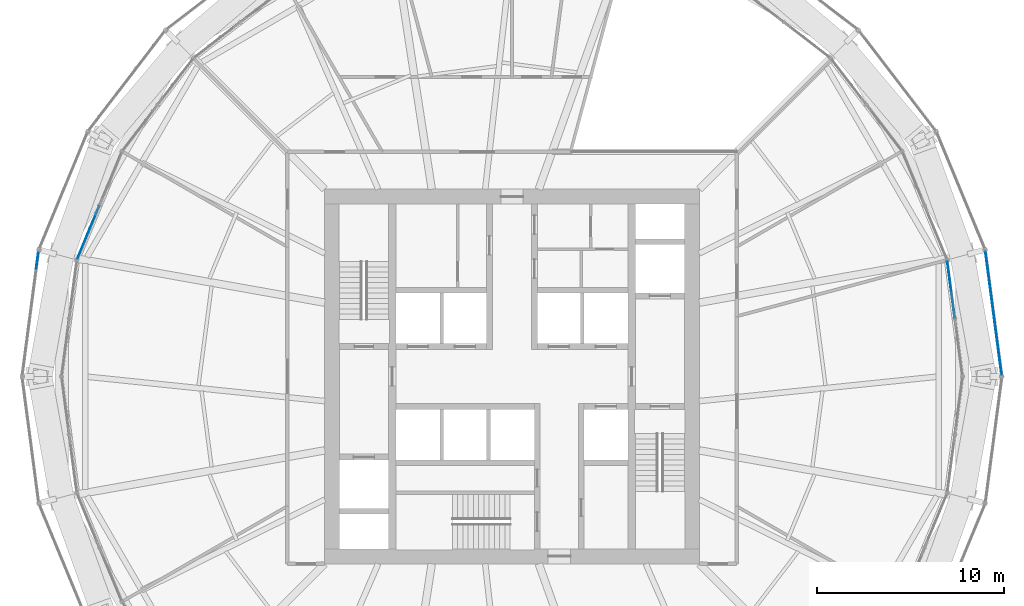
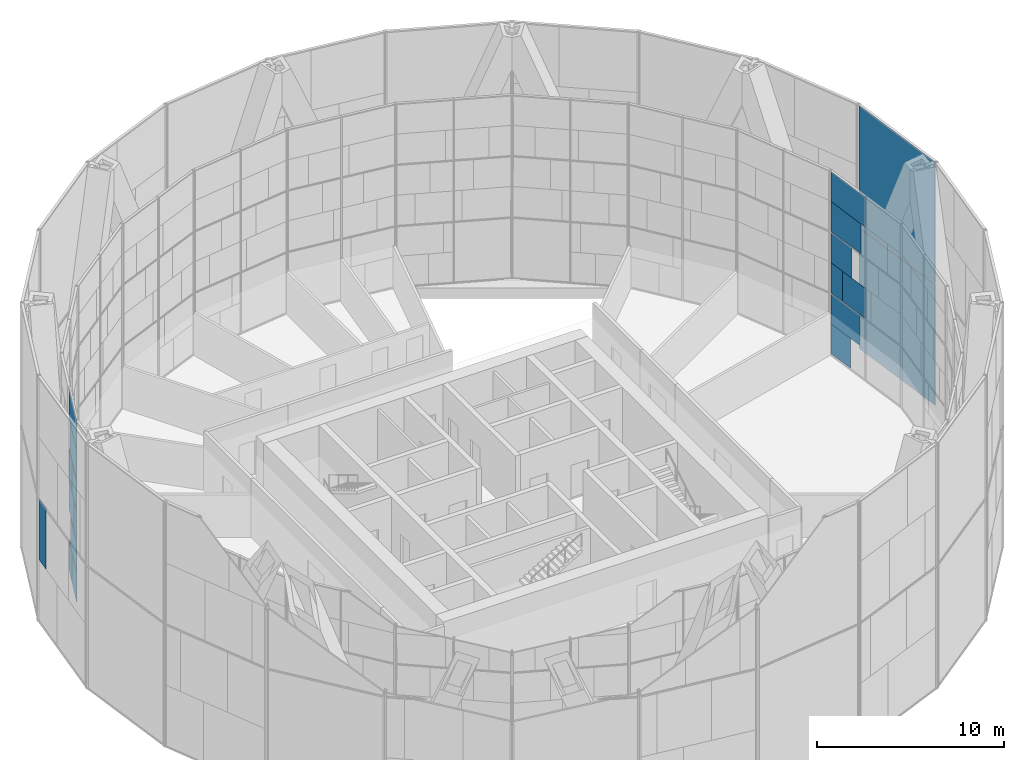
# One storey, part 18 of 26: 19 plates, 4 elements without a shape of their own.
"""IFC4 building model written with IfcOpenShell, lengths in metres."""

from ifc_helpers import new_model, si_unit, direction, frame, origin, origin_2d, place, context, subcontext, project, spatial, rectangle, extrude, material, layer, layer_set, type_object, element, aggregate, save


model = new_model("IFC4")

# Units and contexts
model_context = context("Model", 3, precision=1e-05, world=origin(), true_north=direction((0.0, 1.0)))
body_context = subcontext(model_context, "Body", "Model", "MODEL_VIEW")
ifc_project = project(units=[si_unit("LENGTHUNIT", "METRE"), si_unit("AREAUNIT", "SQUARE_METRE"), si_unit("VOLUMEUNIT", "CUBIC_METRE"), si_unit("PLANEANGLEUNIT", "RADIAN"), si_unit("MASSUNIT", "GRAM", prefix="KILO")], contexts=[model_context])

# Site, building, storey
site_placement = place(None, origin())
site = spatial("IfcSite", under=ifc_project, at=site_placement, CompositionType="ELEMENT")
building_placement = place(site_placement, origin())
building = spatial("IfcBuilding", under=site, at=building_placement, Name="Golbaran Civic Tower", CompositionType="ELEMENT")
storey_placement = place(building_placement, frame((0.0, 0.0, 69.0)))
storey = spatial("IfcBuildingStorey", under=building, at=storey_placement, Name="L16", CompositionType="ELEMENT", Elevation=69.0)

# Curtain wall, plates
ifc_material_1 = material(Name="Aluminium and glass", Category="aluminium")
curtain_wall_type_1 = type_object("IfcCurtainWallType", Name="INNER SKIN CURTAIN WALL", PredefinedType="NOTDEFINED", material=ifc_material_1)
curtain_wall_1_placement = place(storey_placement, origin())
curtain_wall_1 = element("IfcCurtainWall", 1, at=curtain_wall_1_placement, inside=storey, type_object=curtain_wall_type_1, Name="Inner skin L16 facet 1 CW1", ObjectType="INNER SKIN", PredefinedType="USERDEFINED")
ifc_material_2 = material(Name="Clear insulating glass", Category="glass")
ifc_layer_1 = layer(ifc_material_2, 0.031982421875, Name="Clear insulating glass")
ifc_layer_set_1 = layer_set([ifc_layer_1], Name="Clear insulating glass")
plate_type_1 = type_object("IfcPlateType", Name="INNER SKIN CURTAIN WALL GLAZED PANEL", PredefinedType="CURTAIN_PANEL", material=ifc_layer_set_1)
plate_1_placement = place(storey_placement, frame((23.306640625, 5.669189453125, 4.03271484375), z_axis=(0.0, 0.0, 1.0), x_axis=(-0.130526192168, 0.991444861381, 0.0)))
plate_1 = element("IfcPlate", 2, at=plate_1_placement, type_object=plate_type_1, Name="CW1 panel 2.2 part 2", PredefinedType="CURTAIN_PANEL", context=body_context, shape_type="SweptSolid", body=[
    extrude(rectangle(XDim=0.991943359375, YDim=0.031982421875, at=origin_2d()), origin(), (0.0, 0.0, 1.0), 1.967529296875),
])
plate_2_placement = place(storey_placement, frame((23.359130859375, 5.26953125, 6.0), z_axis=(0.0, 0.0, 1.0), x_axis=(-0.130526192168, 0.991444861381, 0.0)))
plate_2 = element("IfcPlate", 3, at=plate_2_placement, type_object=plate_type_1, Name="CW1 panel 2.2 part 4", PredefinedType="CURTAIN_PANEL", context=body_context, shape_type="SweptSolid", body=[
    extrude(rectangle(XDim=1.798095703125, YDim=0.031982421875, at=origin_2d()), origin(), (0.0, 0.0, 1.0), 1.967529296875),
])
plate_3_placement = place(storey_placement, frame((23.41357421875, 4.856689453125, 8.032470703125), z_axis=(0.0, 0.0, 1.0), x_axis=(-0.130526192168, 0.991444861381, 0.0)))
plate_3 = element("IfcPlate", 4, at=plate_3_placement, type_object=plate_type_1, Name="CW1 panel 2.3 part 2", PredefinedType="CURTAIN_PANEL", context=body_context, shape_type="SweptSolid", body=[
    extrude(rectangle(XDim=2.631103515625, YDim=0.031982421875, at=origin_2d()), origin(), (0.0, 0.0, 1.0), 1.951171875),
])
plate_4_placement = place(storey_placement, frame((23.4404296875, 4.65283203125, 9.98388671875), z_axis=(0.0, 0.0, 1.0), x_axis=(-0.130526192168, 0.991444861381, 0.0)))
plate_4 = element("IfcPlate", 5, at=plate_4_placement, type_object=plate_type_1, Name="CW1 panel 2.3 part 3", PredefinedType="CURTAIN_PANEL", context=body_context, shape_type="SweptSolid", body=[
    extrude(rectangle(XDim=3.0419921875, YDim=0.031982421875, at=origin_2d()), origin(), (0.0, 0.0, 1.0), 1.951171875),
])

curtain_wall_2_placement = place(storey_placement, origin())
curtain_wall_2 = element("IfcCurtainWall", 6, at=curtain_wall_2_placement, inside=storey, type_object=curtain_wall_type_1, Name="Inner skin L16 facet 11 CW1", ObjectType="INNER SKIN", PredefinedType="USERDEFINED")
plate_5_placement = place(storey_placement, frame((-22.298583984375, 8.48193359375, 0.06494140625), z_axis=(0.0, 0.0, 1.0), x_axis=(-0.382683432446, -0.923879532478, 0.0)))
plate_5 = element("IfcPlate", 7, at=plate_5_placement, type_object=plate_type_1, Name="CW1 panel 2.1 part 1", PredefinedType="CURTAIN_PANEL", context=body_context, shape_type="SweptSolid", body=[
    extrude(rectangle(XDim=1.3291015625, YDim=0.031982421875, at=origin_2d()), origin(), (0.0, 0.0, 1.0), 1.951171875),
])
plate_6_placement = place(storey_placement, frame((-23.018798828125, 6.74365234375, 4.03271484375), z_axis=(0.0, 0.0, 1.0), x_axis=(-0.382683432446, -0.923879532478, 0.0)))
plate_6 = element("IfcPlate", 8, at=plate_6_placement, type_object=plate_type_1, Name="CW1 panel 2.2 part 2", PredefinedType="CURTAIN_PANEL", context=body_context, shape_type="SweptSolid", body=[
    extrude(rectangle(XDim=0.991943359375, YDim=0.031982421875, at=origin_2d()), origin(), (0.0, 0.0, 1.0), 1.967529296875),
])
plate_7_placement = place(storey_placement, frame((-22.864501953125, 7.115966796875, 6.0), z_axis=(0.0, 0.0, 1.0), x_axis=(-0.382683432446, -0.923879532478, 0.0)))
plate_7 = element("IfcPlate", 9, at=plate_7_placement, type_object=plate_type_1, Name="CW1 panel 2.2 part 4", PredefinedType="CURTAIN_PANEL", context=body_context, shape_type="SweptSolid", body=[
    extrude(rectangle(XDim=1.798095703125, YDim=0.031982421875, at=origin_2d()), origin(), (0.0, 0.0, 1.0), 1.967529296875),
])
plate_8_placement = place(storey_placement, frame((-22.705078125, 7.500732421875, 8.032470703125), z_axis=(0.0, 0.0, 1.0), x_axis=(-0.382683432446, -0.923879532478, 0.0)))
plate_8 = element("IfcPlate", 10, at=plate_8_placement, type_object=plate_type_1, Name="CW1 panel 2.3 part 2", PredefinedType="CURTAIN_PANEL", context=body_context, shape_type="SweptSolid", body=[
    extrude(rectangle(XDim=2.631103515625, YDim=0.031982421875, at=origin_2d()), origin(), (0.0, 0.0, 1.0), 1.951171875),
])
plate_9_placement = place(storey_placement, frame((-22.62646484375, 7.690673828125, 9.98388671875), z_axis=(0.0, 0.0, 1.0), x_axis=(-0.382683432446, -0.923879532478, 0.0)))
plate_9 = element("IfcPlate", 11, at=plate_9_placement, type_object=plate_type_1, Name="CW1 panel 2.3 part 3", PredefinedType="CURTAIN_PANEL", context=body_context, shape_type="SweptSolid", body=[
    extrude(rectangle(XDim=3.0419921875, YDim=0.031982421875, at=origin_2d()), origin(), (0.0, 0.0, 1.0), 1.951171875),
])

# Plate
ifc_material_3 = material(Name="Aluminium faced opaque infill panel", Category="aluminium")
ifc_layer_2 = layer(ifc_material_3, 0.031982421875, Name="Aluminium faced opaque infill panel")
ifc_layer_set_2 = layer_set([ifc_layer_2], Name="Aluminium faced opaque infill panel")
plate_type_2 = type_object("IfcPlateType", Name="INNER SKIN CURTAIN WALL OPAQUE INFILL PANEL", PredefinedType="CURTAIN_PANEL", material=ifc_layer_set_2)
plate_10_placement = place(storey_placement, frame((23.353759765625, 5.311767578125, 0.06494140625), z_axis=(0.0, 0.0, 1.0), x_axis=(-0.130526192168, 0.991444861381, 0.0)))
plate_10 = element("IfcPlate", 12, at=plate_10_placement, type_object=plate_type_2, Name="CW1 infill panel 2.1 part 2", PredefinedType="CURTAIN_PANEL", context=body_context, shape_type="SweptSolid", body=[
    extrude(rectangle(XDim=1.713134765625, YDim=0.031982421875, at=origin_2d()), origin(), (0.0, 0.0, 1.0), 1.951171875),
])

plate_11_placement = place(storey_placement, frame((23.40576171875, 4.916259765625, 2.016357421875), z_axis=(0.0, 0.0, 1.0), x_axis=(-0.130526192168, 0.991444861381, 0.0)))
plate_11 = element("IfcPlate", 13, at=plate_11_placement, type_object=plate_type_2, Name="CW1 infill panel 2.1 part 4", PredefinedType="CURTAIN_PANEL", context=body_context, shape_type="SweptSolid", body=[
    extrude(rectangle(XDim=2.510986328125, YDim=0.031982421875, at=origin_2d()), origin(), (0.0, 0.0, 1.0), 1.951171875),
])

plate_12_placement = place(storey_placement, frame((23.505126953125, 4.1611328125, 4.03271484375), z_axis=(0.0, 0.0, 1.0), x_axis=(-0.130526192168, 0.991444861381, 0.0)))
plate_12 = element("IfcPlate", 14, at=plate_12_placement, type_object=plate_type_2, Name="CW1 infill panel 2.2 part 1", PredefinedType="CURTAIN_PANEL", context=body_context, shape_type="SweptSolid", body=[
    extrude(rectangle(XDim=2.050048828125, YDim=0.031982421875, at=origin_2d()), origin(), (0.0, 0.0, 1.0), 1.967529296875),
])

aggregate(curtain_wall_1, [plate_10, plate_11, plate_12, plate_1, plate_2, plate_3, plate_4])

plate_13_placement = place(storey_placement, frame((-22.880859375, 7.07666015625, 0.06494140625), z_axis=(0.0, 0.0, 1.0), x_axis=(-0.382683432446, -0.923879532478, 0.0)))
plate_13 = element("IfcPlate", 15, at=plate_13_placement, type_object=plate_type_2, Name="CW1 infill panel 2.1 part 2", PredefinedType="CURTAIN_PANEL", context=body_context, shape_type="SweptSolid", body=[
    extrude(rectangle(XDim=1.713134765625, YDim=0.031982421875, at=origin_2d()), origin(), (0.0, 0.0, 1.0), 1.951171875),
])

plate_14_placement = place(storey_placement, frame((-22.72802734375, 7.4453125, 2.016357421875), z_axis=(0.0, 0.0, 1.0), x_axis=(-0.382683432446, -0.923879532478, 0.0)))
plate_14 = element("IfcPlate", 16, at=plate_14_placement, type_object=plate_type_2, Name="CW1 infill panel 2.1 part 4", PredefinedType="CURTAIN_PANEL", context=body_context, shape_type="SweptSolid", body=[
    extrude(rectangle(XDim=2.510986328125, YDim=0.031982421875, at=origin_2d()), origin(), (0.0, 0.0, 1.0), 1.951171875),
])

plate_15_placement = place(storey_placement, frame((-22.436767578125, 8.14892578125, 4.03271484375), z_axis=(0.0, 0.0, 1.0), x_axis=(-0.382683432446, -0.923879532478, 0.0)))
plate_15 = element("IfcPlate", 17, at=plate_15_placement, type_object=plate_type_2, Name="CW1 infill panel 2.2 part 1", PredefinedType="CURTAIN_PANEL", context=body_context, shape_type="SweptSolid", body=[
    extrude(rectangle(XDim=2.050048828125, YDim=0.031982421875, at=origin_2d()), origin(), (0.0, 0.0, 1.0), 1.967529296875),
])

plate_16_placement = place(storey_placement, frame((-22.282470703125, 8.521240234375, 6.0), z_axis=(0.0, 0.0, 1.0), x_axis=(-0.382683432446, -0.923879532478, 0.0)))
plate_16 = element("IfcPlate", 18, at=plate_16_placement, type_object=plate_type_2, Name="CW1 infill panel 2.2 part 3", PredefinedType="CURTAIN_PANEL", context=body_context, shape_type="SweptSolid", body=[
    extrude(rectangle(XDim=1.243896484375, YDim=0.031982421875, at=origin_2d()), origin(), (0.0, 0.0, 1.0), 1.967529296875),
])

aggregate(curtain_wall_2, [plate_5, plate_13, plate_14, plate_15, plate_6, plate_16, plate_7, plate_8, plate_9])

# Curtain wall, plate
curtain_wall_type_2 = type_object("IfcCurtainWallType", Name="OUTER SKIN TERRACOTTA SCREEN", PredefinedType="NOTDEFINED", material=ifc_material_1)
curtain_wall_3_placement = place(storey_placement, origin())
curtain_wall_3 = element("IfcCurtainWall", 19, at=curtain_wall_3_placement, inside=storey, type_object=curtain_wall_type_2, Name="Outer skin L16 facet 12 CW3", ObjectType="OUTER SKIN", PredefinedType="USERDEFINED")
ifc_material_4 = material(Name="Clear laminated glass", Category="glass")
ifc_layer_3 = layer(ifc_material_4, 0.0400390625, Name="Clear laminated glass")
ifc_layer_set_3 = layer_set([ifc_layer_3], Name="Clear laminated glass")
plate_type_3 = type_object("IfcPlateType", Name="OUTER SKIN CLEAR GLASS PANEL", PredefinedType="CURTAIN_PANEL", material=ifc_layer_set_3)
plate_17_placement = place(storey_placement, frame((-25.34228515625, 6.21826171875, 3.31005859375), z_axis=(0.0, 0.0, 1.0), x_axis=(-0.130526192151, -0.991444861383, 0.0)))
plate_17 = element("IfcPlate", 20, at=plate_17_placement, type_object=plate_type_3, Name="CW3 panel 1.1 part 3", PredefinedType="CURTAIN_PANEL", context=body_context, shape_type="SweptSolid", body=[
    extrude(rectangle(XDim=0.955078125, YDim=0.0400390625, at=origin_2d()), origin(), (0.0, 0.0, 1.0), 3.93994140625),
])
aggregate(curtain_wall_3, [plate_17])

# Curtain wall, plates
curtain_wall_4_placement = place(storey_placement, origin())
curtain_wall_4 = element("IfcCurtainWall", 21, at=curtain_wall_4_placement, inside=storey, type_object=curtain_wall_type_2, Name="Outer skin L16 facet 1 CW3", ObjectType="OUTER SKIN", PredefinedType="USERDEFINED")
ifc_material_5 = material(Name="Terracotta baguette screen", Category="masonry")
ifc_layer_4 = layer(ifc_material_5, 0.0400390625, Name="Terracotta baguette screen")
ifc_layer_set_4 = layer_set([ifc_layer_4], Name="Terracotta baguette screen")
plate_type_4 = type_object("IfcPlateType", Name="OUTER SKIN TERRACOTTA SCREEN PANEL", PredefinedType="CURTAIN_PANEL", material=ifc_layer_set_4)
plate_18_placement = place(storey_placement, frame((25.71533203125, 3.385498046875, -0.6298828125), z_axis=(0.0, 0.0, 1.0), x_axis=(-0.130526192151, 0.991444861383, 0.0)))
plate_18 = element("IfcPlate", 22, at=plate_18_placement, type_object=plate_type_4, Name="CW3 terracotta screen panel 1.1", PredefinedType="CURTAIN_PANEL", context=body_context, shape_type="SweptSolid", body=[
    extrude(rectangle(XDim=6.66943359375, YDim=0.0400390625, at=origin_2d()), origin(), (0.0, 0.0, 1.0), 7.8798828125),
])
plate_19_placement = place(storey_placement, frame((25.71533203125, 3.385498046875, 7.330078125), z_axis=(0.0, 0.0, 1.0), x_axis=(-0.130526192151, 0.991444861383, 0.0)))
plate_19 = element("IfcPlate", 23, at=plate_19_placement, type_object=plate_type_4, Name="CW3 terracotta screen panel 1.2", PredefinedType="CURTAIN_PANEL", context=body_context, shape_type="SweptSolid", body=[
    extrude(rectangle(XDim=6.66943359375, YDim=0.0400390625, at=origin_2d()), origin(), (0.0, 0.0, 1.0), 7.8798828125),
])
aggregate(curtain_wall_4, [plate_18, plate_19])

save(model, "model.ifc")
